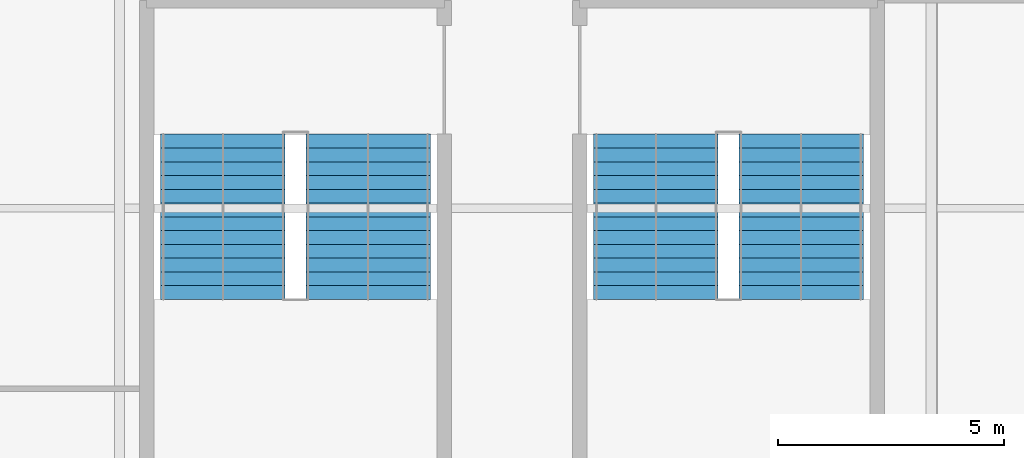
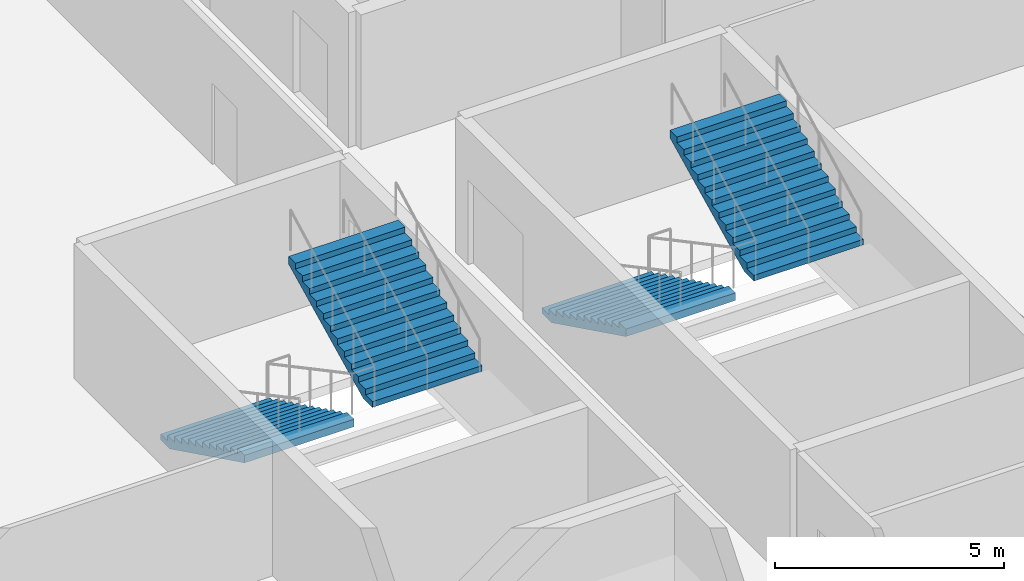
# One storey, part 95 of 105: 4 stair flights, 2 elements without a shape of their own.
"""IFC4 building model written with IfcOpenShell, lengths in metres."""

from ifc_helpers import new_model, si_unit, direction, frame, origin, place, context, subcontext, project, spatial, polygons, material, type_object, element, aggregate, save


model = new_model("IFC4")

# Units and contexts
model_context = context("Model", 3, precision=1e-05, world=origin(), true_north=direction((0.0, 1.0)))
body_context = subcontext(model_context, "Body", "Model", "MODEL_VIEW")
ifc_project = project(units=[si_unit("LENGTHUNIT", "METRE"), si_unit("AREAUNIT", "SQUARE_METRE"), si_unit("VOLUMEUNIT", "CUBIC_METRE"), si_unit("PLANEANGLEUNIT", "RADIAN"), si_unit("MASSUNIT", "GRAM", prefix="KILO")], contexts=[model_context])

# Site, building, storey
site_placement = place(None, origin())
site = spatial("IfcSite", under=ifc_project, at=site_placement, CompositionType="ELEMENT")
building_placement = place(site_placement, origin())
building = spatial("IfcBuilding", under=site, at=building_placement, Name="Kisiwana Market Hall", CompositionType="ELEMENT")
storey_placement = place(building_placement, frame((0.0, 0.0, 21.60009765625)))
storey = spatial("IfcBuildingStorey", under=building, at=storey_placement, Name="L04", CompositionType="ELEMENT", Elevation=21.60009765625)

# Stair, stair flights
ifc_material_1 = material(Name="Concrete C32/40", Category="concrete")
stair_type = type_object("IfcStairType", Name="ST-ESC-3900", PredefinedType="TWO_STRAIGHT_RUN_STAIR", material=ifc_material_1)
stair_1_placement = place(storey_placement, origin())
stair_1 = element("IfcStair", 1, at=stair_1_placement, inside=storey, type_object=stair_type, Name="Escape stair ST-E4-L04", PredefinedType="TWO_STRAIGHT_RUN_STAIR")
ifc_material_2 = material(Name="Concrete C32/40", Category="concrete")
stair_flight_type = type_object("IfcStairFlightType", Name="SF-ESC-3900", PredefinedType="STRAIGHT", material=ifc_material_2)
stair_flight_1_placement = place(storey_placement, frame((182.889892578125, 77.639892578125, 0.0), z_axis=(0.0, 0.0, 1.0), x_axis=(0.0, -1.0, 0.0)))
stair_flight_1 = element("IfcStairFlight", 2, at=stair_flight_1_placement, type_object=stair_flight_type, Name="ST-E4-L04 flight 1", NumberOfRisers=13, NumberOfTreads=12, PredefinedType="STRAIGHT", RiserHeight=0.15, TreadLength=0.305, context=body_context, shape_type="Tessellation", body=[
    polygons([(0.0, -1.380127, 0.0), (0.0, -0.690125, 0.0), (0.0, -0.000122, 0.0), (0.0, 0.68988, 0.0), (0.0, 1.379883, 0.0), (0.0, -1.380127, 0.149902), (0.0, -0.690125, 0.149902), (0.0, -0.000122, 0.149902), (0.0, 0.68988, 0.149902), (0.0, 1.379883, 0.149902), (0.304932, -1.380127, 0.149902), (0.304932, -0.690125, 0.149902), (0.304932, -0.000122, 0.149902), (0.304932, 0.68988, 0.149902), (0.304932, 1.379883, 0.149902), (0.304932, -1.380127, 0.300049), (0.304932, -0.690125, 0.300049), (0.304932, -0.000122, 0.300049), (0.304932, 0.68988, 0.300049), (0.304932, 1.379883, 0.300049), (0.610107, -1.380127, 0.300049), (0.610107, -0.690125, 0.300049), (0.610107, -0.000122, 0.300049), (0.610107, 0.68988, 0.300049), (0.610107, 1.379883, 0.300049), (0.610107, -1.380127, 0.449951), (0.610107, -0.690125, 0.449951), (0.610107, -0.000122, 0.449951), (0.610107, 0.68988, 0.449951), (0.610107, 1.379883, 0.449951), (0.915039, -1.380127, 0.449951), (0.915039, -0.690125, 0.449951), (0.915039, -0.000122, 0.449951), (0.915039, 0.68988, 0.449951), (0.915039, 1.379883, 0.449951), (0.915039, -1.380127, 0.600098), (0.915039, -0.690125, 0.600098), (0.915039, -0.000122, 0.600098), (0.915039, 0.68988, 0.600098), (0.915039, 1.379883, 0.600098), (1.219971, -1.380127, 0.600098), (1.219971, -0.690125, 0.600098), (1.219971, -0.000122, 0.600098), (1.219971, 0.68988, 0.600098), (1.219971, 1.379883, 0.600098), (1.219971, -1.380127, 0.75), (1.219971, -0.690125, 0.75), (1.219971, -0.000122, 0.75), (1.219971, 0.68988, 0.75), (1.219971, 1.379883, 0.75), (1.524902, -1.380127, 0.75), (1.524902, -0.690125, 0.75), (1.524902, -0.000122, 0.75), (1.524902, 0.68988, 0.75), (1.524902, 1.379883, 0.75), (1.524902, -1.380127, 0.899902), (1.524902, -0.690125, 0.899902), (1.524902, -0.000122, 0.899902), (1.524902, 0.68988, 0.899902), (1.524902, 1.379883, 0.899902), (1.830078, -1.380127, 0.899902), (1.830078, -0.690125, 0.899902), (1.830078, -0.000122, 0.899902), (1.830078, 0.68988, 0.899902), (1.830078, 1.379883, 0.899902), (1.830078, -1.380127, 1.050049), (1.830078, -0.690125, 1.050049), (1.830078, -0.000122, 1.050049), (1.830078, 0.68988, 1.050049), (1.830078, 1.379883, 1.050049), (2.13501, -1.380127, 1.050049), (2.13501, -0.690125, 1.050049), (2.13501, -0.000122, 1.050049), (2.13501, 0.68988, 1.050049), (2.13501, 1.379883, 1.050049), (2.13501, -1.380127, 1.199951), (2.13501, -0.690125, 1.199951), (2.13501, -0.000122, 1.199951), (2.13501, 0.68988, 1.199951), (2.13501, 1.379883, 1.199951), (2.439941, -1.380127, 1.199951), (2.439941, -0.690125, 1.199951), (2.439941, -0.000122, 1.199951), (2.439941, 0.68988, 1.199951), (2.439941, 1.379883, 1.199951), (2.439941, -1.380127, 1.350098), (2.439941, -0.690125, 1.350098), (2.439941, -0.000122, 1.350098), (2.439941, 0.68988, 1.350098), (2.439941, 1.379883, 1.350098), (2.745117, -1.380127, 1.350098), (2.745117, -0.690125, 1.350098), (2.745117, -0.000122, 1.350098), (2.745117, 0.68988, 1.350098), (2.745117, 1.379883, 1.350098), (2.745117, -1.380127, 1.5), (2.745117, -0.690125, 1.5), (2.745117, -0.000122, 1.5), (2.745117, 0.68988, 1.5), (2.745117, 1.379883, 1.5), (3.050049, -1.380127, 1.5), (3.050049, -0.690125, 1.5), (3.050049, -0.000122, 1.5), (3.050049, 0.68988, 1.5), (3.050049, 1.379883, 1.5), (3.050049, -1.380127, 1.649902), (3.050049, -0.690125, 1.649902), (3.050049, -0.000122, 1.649902), (3.050049, 0.68988, 1.649902), (3.050049, 1.379883, 1.649902), (3.35498, -1.380127, 1.649902), (3.35498, -0.690125, 1.649902), (3.35498, -0.000122, 1.649902), (3.35498, 0.68988, 1.649902), (3.35498, 1.379883, 1.649902), (3.35498, -1.380127, 1.800049), (3.35498, -0.690125, 1.800049), (3.35498, -0.000122, 1.800049), (3.35498, 0.68988, 1.800049), (3.35498, 1.379883, 1.800049), (3.659912, -1.380127, 1.800049), (3.659912, -0.690125, 1.800049), (3.659912, -0.000122, 1.800049), (3.659912, 0.68988, 1.800049), (3.659912, 1.379883, 1.800049), (3.659912, -1.380127, 1.599365), (3.659912, -0.690125, 1.599365), (3.659912, -0.000122, 1.599365), (3.659912, 0.68988, 1.599365), (3.659912, 1.379883, 1.599365), (0.407715, -1.380127, 0.0), (0.407715, -0.690125, 0.0), (0.407715, -0.000122, 0.0), (0.407715, 0.68988, 0.0), (0.407715, 1.379883, 0.0)], [[[1, 6, 7, 2]], [[2, 7, 8, 3]], [[3, 8, 9, 4]], [[4, 9, 10, 5]], [[6, 11, 12, 7]], [[7, 12, 13, 8]], [[8, 13, 14, 9]], [[9, 14, 15, 10]], [[11, 16, 17, 12]], [[12, 17, 18, 13]], [[13, 18, 19, 14]], [[14, 19, 20, 15]], [[16, 21, 22, 17]], [[17, 22, 23, 18]], [[18, 23, 24, 19]], [[19, 24, 25, 20]], [[21, 26, 27, 22]], [[22, 27, 28, 23]], [[23, 28, 29, 24]], [[24, 29, 30, 25]], [[26, 31, 32, 27]], [[27, 32, 33, 28]], [[28, 33, 34, 29]], [[29, 34, 35, 30]], [[31, 36, 37, 32]], [[32, 37, 38, 33]], [[33, 38, 39, 34]], [[34, 39, 40, 35]], [[36, 41, 42, 37]], [[37, 42, 43, 38]], [[38, 43, 44, 39]], [[39, 44, 45, 40]], [[41, 46, 47, 42]], [[42, 47, 48, 43]], [[43, 48, 49, 44]], [[44, 49, 50, 45]], [[46, 51, 52, 47]], [[47, 52, 53, 48]], [[48, 53, 54, 49]], [[49, 54, 55, 50]], [[51, 56, 57, 52]], [[52, 57, 58, 53]], [[53, 58, 59, 54]], [[54, 59, 60, 55]], [[56, 61, 62, 57]], [[57, 62, 63, 58]], [[58, 63, 64, 59]], [[59, 64, 65, 60]], [[61, 66, 67, 62]], [[62, 67, 68, 63]], [[63, 68, 69, 64]], [[64, 69, 70, 65]], [[66, 71, 72, 67]], [[67, 72, 73, 68]], [[68, 73, 74, 69]], [[69, 74, 75, 70]], [[71, 76, 77, 72]], [[72, 77, 78, 73]], [[73, 78, 79, 74]], [[74, 79, 80, 75]], [[76, 81, 82, 77]], [[77, 82, 83, 78]], [[78, 83, 84, 79]], [[79, 84, 85, 80]], [[81, 86, 87, 82]], [[82, 87, 88, 83]], [[83, 88, 89, 84]], [[84, 89, 90, 85]], [[86, 91, 92, 87]], [[87, 92, 93, 88]], [[88, 93, 94, 89]], [[89, 94, 95, 90]], [[91, 96, 97, 92]], [[92, 97, 98, 93]], [[93, 98, 99, 94]], [[94, 99, 100, 95]], [[96, 101, 102, 97]], [[97, 102, 103, 98]], [[98, 103, 104, 99]], [[99, 104, 105, 100]], [[101, 106, 107, 102]], [[102, 107, 108, 103]], [[103, 108, 109, 104]], [[104, 109, 110, 105]], [[106, 111, 112, 107]], [[107, 112, 113, 108]], [[108, 113, 114, 109]], [[109, 114, 115, 110]], [[111, 116, 117, 112]], [[112, 117, 118, 113]], [[113, 118, 119, 114]], [[114, 119, 120, 115]], [[116, 121, 122, 117]], [[117, 122, 123, 118]], [[118, 123, 124, 119]], [[119, 124, 125, 120]], [[121, 126, 127, 122]], [[122, 127, 128, 123]], [[123, 128, 129, 124]], [[124, 129, 130, 125]], [[126, 131, 132, 127]], [[127, 132, 133, 128]], [[128, 133, 134, 129]], [[129, 134, 135, 130]], [[131, 1, 2, 132]], [[132, 2, 3, 133]], [[133, 3, 4, 134]], [[134, 4, 5, 135]], [[131, 126, 121, 116, 111, 106, 101, 96, 91, 86, 81, 76, 71, 66, 61, 56, 51, 46, 41, 36, 31, 26, 21, 16, 11, 6, 1]], [[5, 10, 15, 20, 25, 30, 35, 40, 45, 50, 55, 60, 65, 70, 75, 80, 85, 90, 95, 100, 105, 110, 115, 120, 125, 130, 135]]], closed=True),
])
stair_flight_2_placement = place(storey_placement, frame((186.110107421875, 73.97998046875, 1.949951171875), z_axis=(0.0, 0.0, 1.0), x_axis=(0.0, 1.0, 0.0)))
stair_flight_2 = element("IfcStairFlight", 3, at=stair_flight_2_placement, type_object=stair_flight_type, Name="ST-E4-L04 flight 2", NumberOfRisers=13, NumberOfTreads=12, PredefinedType="STRAIGHT", RiserHeight=0.15, TreadLength=0.305, context=body_context, shape_type="Tessellation", body=[
    polygons([(0.0, -1.380127, 0.0), (0.0, -0.690125, 0.0), (0.0, -0.000122, 0.0), (0.0, 0.68988, 0.0), (0.0, 1.379883, 0.0), (0.0, -1.380127, 0.149902), (0.0, -0.690125, 0.149902), (0.0, -0.000122, 0.149902), (0.0, 0.68988, 0.149902), (0.0, 1.379883, 0.149902), (0.304932, -1.380127, 0.149902), (0.304932, -0.690125, 0.149902), (0.304932, -0.000122, 0.149902), (0.304932, 0.68988, 0.149902), (0.304932, 1.379883, 0.149902), (0.304932, -1.380127, 0.300049), (0.304932, -0.690125, 0.300049), (0.304932, -0.000122, 0.300049), (0.304932, 0.68988, 0.300049), (0.304932, 1.379883, 0.300049), (0.610107, -1.380127, 0.300049), (0.610107, -0.690125, 0.300049), (0.610107, -0.000122, 0.300049), (0.610107, 0.68988, 0.300049), (0.610107, 1.379883, 0.300049), (0.610107, -1.380127, 0.449951), (0.610107, -0.690125, 0.449951), (0.610107, -0.000122, 0.449951), (0.610107, 0.68988, 0.449951), (0.610107, 1.379883, 0.449951), (0.915039, -1.380127, 0.449951), (0.915039, -0.690125, 0.449951), (0.915039, -0.000122, 0.449951), (0.915039, 0.68988, 0.449951), (0.915039, 1.379883, 0.449951), (0.915039, -1.380127, 0.600098), (0.915039, -0.690125, 0.600098), (0.915039, -0.000122, 0.600098), (0.915039, 0.68988, 0.600098), (0.915039, 1.379883, 0.600098), (1.219971, -1.380127, 0.600098), (1.219971, -0.690125, 0.600098), (1.219971, -0.000122, 0.600098), (1.219971, 0.68988, 0.600098), (1.219971, 1.379883, 0.600098), (1.219971, -1.380127, 0.75), (1.219971, -0.690125, 0.75), (1.219971, -0.000122, 0.75), (1.219971, 0.68988, 0.75), (1.219971, 1.379883, 0.75), (1.524902, -1.380127, 0.75), (1.524902, -0.690125, 0.75), (1.524902, -0.000122, 0.75), (1.524902, 0.68988, 0.75), (1.524902, 1.379883, 0.75), (1.524902, -1.380127, 0.899902), (1.524902, -0.690125, 0.899902), (1.524902, -0.000122, 0.899902), (1.524902, 0.68988, 0.899902), (1.524902, 1.379883, 0.899902), (1.830078, -1.380127, 0.899902), (1.830078, -0.690125, 0.899902), (1.830078, -0.000122, 0.899902), (1.830078, 0.68988, 0.899902), (1.830078, 1.379883, 0.899902), (1.830078, -1.380127, 1.050049), (1.830078, -0.690125, 1.050049), (1.830078, -0.000122, 1.050049), (1.830078, 0.68988, 1.050049), (1.830078, 1.379883, 1.050049), (2.13501, -1.380127, 1.050049), (2.13501, -0.690125, 1.050049), (2.13501, -0.000122, 1.050049), (2.13501, 0.68988, 1.050049), (2.13501, 1.379883, 1.050049), (2.13501, -1.380127, 1.199951), (2.13501, -0.690125, 1.199951), (2.13501, -0.000122, 1.199951), (2.13501, 0.68988, 1.199951), (2.13501, 1.379883, 1.199951), (2.439941, -1.380127, 1.199951), (2.439941, -0.690125, 1.199951), (2.439941, -0.000122, 1.199951), (2.439941, 0.68988, 1.199951), (2.439941, 1.379883, 1.199951), (2.439941, -1.380127, 1.350098), (2.439941, -0.690125, 1.350098), (2.439941, -0.000122, 1.350098), (2.439941, 0.68988, 1.350098), (2.439941, 1.379883, 1.350098), (2.745117, -1.380127, 1.350098), (2.745117, -0.690125, 1.350098), (2.745117, -0.000122, 1.350098), (2.745117, 0.68988, 1.350098), (2.745117, 1.379883, 1.350098), (2.745117, -1.380127, 1.5), (2.745117, -0.690125, 1.5), (2.745117, -0.000122, 1.5), (2.745117, 0.68988, 1.5), (2.745117, 1.379883, 1.5), (3.050049, -1.380127, 1.5), (3.050049, -0.690125, 1.5), (3.050049, -0.000122, 1.5), (3.050049, 0.68988, 1.5), (3.050049, 1.379883, 1.5), (3.050049, -1.380127, 1.649902), (3.050049, -0.690125, 1.649902), (3.050049, -0.000122, 1.649902), (3.050049, 0.68988, 1.649902), (3.050049, 1.379883, 1.649902), (3.35498, -1.380127, 1.649902), (3.35498, -0.690125, 1.649902), (3.35498, -0.000122, 1.649902), (3.35498, 0.68988, 1.649902), (3.35498, 1.379883, 1.649902), (3.35498, -1.380127, 1.800049), (3.35498, -0.690125, 1.800049), (3.35498, -0.000122, 1.800049), (3.35498, 0.68988, 1.800049), (3.35498, 1.379883, 1.800049), (3.659912, -1.380127, 1.800049), (3.659912, -0.690125, 1.800049), (3.659912, -0.000122, 1.800049), (3.659912, 0.68988, 1.800049), (3.659912, 1.379883, 1.800049), (3.659912, -1.380127, 1.599365), (3.659912, -0.690125, 1.599365), (3.659912, -0.000122, 1.599365), (3.659912, 0.68988, 1.599365), (3.659912, 1.379883, 1.599365), (0.407715, -1.380127, 0.0), (0.407715, -0.690125, 0.0), (0.407715, -0.000122, 0.0), (0.407715, 0.68988, 0.0), (0.407715, 1.379883, 0.0)], [[[1, 6, 7, 2]], [[2, 7, 8, 3]], [[3, 8, 9, 4]], [[4, 9, 10, 5]], [[6, 11, 12, 7]], [[7, 12, 13, 8]], [[8, 13, 14, 9]], [[9, 14, 15, 10]], [[11, 16, 17, 12]], [[12, 17, 18, 13]], [[13, 18, 19, 14]], [[14, 19, 20, 15]], [[16, 21, 22, 17]], [[17, 22, 23, 18]], [[18, 23, 24, 19]], [[19, 24, 25, 20]], [[21, 26, 27, 22]], [[22, 27, 28, 23]], [[23, 28, 29, 24]], [[24, 29, 30, 25]], [[26, 31, 32, 27]], [[27, 32, 33, 28]], [[28, 33, 34, 29]], [[29, 34, 35, 30]], [[31, 36, 37, 32]], [[32, 37, 38, 33]], [[33, 38, 39, 34]], [[34, 39, 40, 35]], [[36, 41, 42, 37]], [[37, 42, 43, 38]], [[38, 43, 44, 39]], [[39, 44, 45, 40]], [[41, 46, 47, 42]], [[42, 47, 48, 43]], [[43, 48, 49, 44]], [[44, 49, 50, 45]], [[46, 51, 52, 47]], [[47, 52, 53, 48]], [[48, 53, 54, 49]], [[49, 54, 55, 50]], [[51, 56, 57, 52]], [[52, 57, 58, 53]], [[53, 58, 59, 54]], [[54, 59, 60, 55]], [[56, 61, 62, 57]], [[57, 62, 63, 58]], [[58, 63, 64, 59]], [[59, 64, 65, 60]], [[61, 66, 67, 62]], [[62, 67, 68, 63]], [[63, 68, 69, 64]], [[64, 69, 70, 65]], [[66, 71, 72, 67]], [[67, 72, 73, 68]], [[68, 73, 74, 69]], [[69, 74, 75, 70]], [[71, 76, 77, 72]], [[72, 77, 78, 73]], [[73, 78, 79, 74]], [[74, 79, 80, 75]], [[76, 81, 82, 77]], [[77, 82, 83, 78]], [[78, 83, 84, 79]], [[79, 84, 85, 80]], [[81, 86, 87, 82]], [[82, 87, 88, 83]], [[83, 88, 89, 84]], [[84, 89, 90, 85]], [[86, 91, 92, 87]], [[87, 92, 93, 88]], [[88, 93, 94, 89]], [[89, 94, 95, 90]], [[91, 96, 97, 92]], [[92, 97, 98, 93]], [[93, 98, 99, 94]], [[94, 99, 100, 95]], [[96, 101, 102, 97]], [[97, 102, 103, 98]], [[98, 103, 104, 99]], [[99, 104, 105, 100]], [[101, 106, 107, 102]], [[102, 107, 108, 103]], [[103, 108, 109, 104]], [[104, 109, 110, 105]], [[106, 111, 112, 107]], [[107, 112, 113, 108]], [[108, 113, 114, 109]], [[109, 114, 115, 110]], [[111, 116, 117, 112]], [[112, 117, 118, 113]], [[113, 118, 119, 114]], [[114, 119, 120, 115]], [[116, 121, 122, 117]], [[117, 122, 123, 118]], [[118, 123, 124, 119]], [[119, 124, 125, 120]], [[121, 126, 127, 122]], [[122, 127, 128, 123]], [[123, 128, 129, 124]], [[124, 129, 130, 125]], [[126, 131, 132, 127]], [[127, 132, 133, 128]], [[128, 133, 134, 129]], [[129, 134, 135, 130]], [[131, 1, 2, 132]], [[132, 2, 3, 133]], [[133, 3, 4, 134]], [[134, 4, 5, 135]], [[131, 126, 121, 116, 111, 106, 101, 96, 91, 86, 81, 76, 71, 66, 61, 56, 51, 46, 41, 36, 31, 26, 21, 16, 11, 6, 1]], [[5, 10, 15, 20, 25, 30, 35, 40, 45, 50, 55, 60, 65, 70, 75, 80, 85, 90, 95, 100, 105, 110, 115, 120, 125, 130, 135]]], closed=True),
])
aggregate(stair_1, [stair_flight_1, stair_flight_2])

stair_2_placement = place(storey_placement, origin())
stair_2 = element("IfcStair", 4, at=stair_2_placement, inside=storey, type_object=stair_type, Name="Escape stair ST-E8-L04", PredefinedType="TWO_STRAIGHT_RUN_STAIR")
stair_flight_3_placement = place(storey_placement, frame((173.2900390625, 77.639892578125, 0.0), z_axis=(0.0, 0.0, 1.0), x_axis=(0.0, -1.0, 0.0)))
stair_flight_3 = element("IfcStairFlight", 5, at=stair_flight_3_placement, type_object=stair_flight_type, Name="ST-E8-L04 flight 1", NumberOfRisers=13, NumberOfTreads=12, PredefinedType="STRAIGHT", RiserHeight=0.15, TreadLength=0.305, context=body_context, shape_type="Tessellation", body=[
    polygons([(0.0, -1.380127, 0.0), (0.0, -0.690125, 0.0), (0.0, -0.000122, 0.0), (0.0, 0.68988, 0.0), (0.0, 1.379883, 0.0), (0.0, -1.380127, 0.149902), (0.0, -0.690125, 0.149902), (0.0, -0.000122, 0.149902), (0.0, 0.68988, 0.149902), (0.0, 1.379883, 0.149902), (0.304932, -1.380127, 0.149902), (0.304932, -0.690125, 0.149902), (0.304932, -0.000122, 0.149902), (0.304932, 0.68988, 0.149902), (0.304932, 1.379883, 0.149902), (0.304932, -1.380127, 0.300049), (0.304932, -0.690125, 0.300049), (0.304932, -0.000122, 0.300049), (0.304932, 0.68988, 0.300049), (0.304932, 1.379883, 0.300049), (0.610107, -1.380127, 0.300049), (0.610107, -0.690125, 0.300049), (0.610107, -0.000122, 0.300049), (0.610107, 0.68988, 0.300049), (0.610107, 1.379883, 0.300049), (0.610107, -1.380127, 0.449951), (0.610107, -0.690125, 0.449951), (0.610107, -0.000122, 0.449951), (0.610107, 0.68988, 0.449951), (0.610107, 1.379883, 0.449951), (0.915039, -1.380127, 0.449951), (0.915039, -0.690125, 0.449951), (0.915039, -0.000122, 0.449951), (0.915039, 0.68988, 0.449951), (0.915039, 1.379883, 0.449951), (0.915039, -1.380127, 0.600098), (0.915039, -0.690125, 0.600098), (0.915039, -0.000122, 0.600098), (0.915039, 0.68988, 0.600098), (0.915039, 1.379883, 0.600098), (1.219971, -1.380127, 0.600098), (1.219971, -0.690125, 0.600098), (1.219971, -0.000122, 0.600098), (1.219971, 0.68988, 0.600098), (1.219971, 1.379883, 0.600098), (1.219971, -1.380127, 0.75), (1.219971, -0.690125, 0.75), (1.219971, -0.000122, 0.75), (1.219971, 0.68988, 0.75), (1.219971, 1.379883, 0.75), (1.524902, -1.380127, 0.75), (1.524902, -0.690125, 0.75), (1.524902, -0.000122, 0.75), (1.524902, 0.68988, 0.75), (1.524902, 1.379883, 0.75), (1.524902, -1.380127, 0.899902), (1.524902, -0.690125, 0.899902), (1.524902, -0.000122, 0.899902), (1.524902, 0.68988, 0.899902), (1.524902, 1.379883, 0.899902), (1.830078, -1.380127, 0.899902), (1.830078, -0.690125, 0.899902), (1.830078, -0.000122, 0.899902), (1.830078, 0.68988, 0.899902), (1.830078, 1.379883, 0.899902), (1.830078, -1.380127, 1.050049), (1.830078, -0.690125, 1.050049), (1.830078, -0.000122, 1.050049), (1.830078, 0.68988, 1.050049), (1.830078, 1.379883, 1.050049), (2.13501, -1.380127, 1.050049), (2.13501, -0.690125, 1.050049), (2.13501, -0.000122, 1.050049), (2.13501, 0.68988, 1.050049), (2.13501, 1.379883, 1.050049), (2.13501, -1.380127, 1.199951), (2.13501, -0.690125, 1.199951), (2.13501, -0.000122, 1.199951), (2.13501, 0.68988, 1.199951), (2.13501, 1.379883, 1.199951), (2.439941, -1.380127, 1.199951), (2.439941, -0.690125, 1.199951), (2.439941, -0.000122, 1.199951), (2.439941, 0.68988, 1.199951), (2.439941, 1.379883, 1.199951), (2.439941, -1.380127, 1.350098), (2.439941, -0.690125, 1.350098), (2.439941, -0.000122, 1.350098), (2.439941, 0.68988, 1.350098), (2.439941, 1.379883, 1.350098), (2.745117, -1.380127, 1.350098), (2.745117, -0.690125, 1.350098), (2.745117, -0.000122, 1.350098), (2.745117, 0.68988, 1.350098), (2.745117, 1.379883, 1.350098), (2.745117, -1.380127, 1.5), (2.745117, -0.690125, 1.5), (2.745117, -0.000122, 1.5), (2.745117, 0.68988, 1.5), (2.745117, 1.379883, 1.5), (3.050049, -1.380127, 1.5), (3.050049, -0.690125, 1.5), (3.050049, -0.000122, 1.5), (3.050049, 0.68988, 1.5), (3.050049, 1.379883, 1.5), (3.050049, -1.380127, 1.649902), (3.050049, -0.690125, 1.649902), (3.050049, -0.000122, 1.649902), (3.050049, 0.68988, 1.649902), (3.050049, 1.379883, 1.649902), (3.35498, -1.380127, 1.649902), (3.35498, -0.690125, 1.649902), (3.35498, -0.000122, 1.649902), (3.35498, 0.68988, 1.649902), (3.35498, 1.379883, 1.649902), (3.35498, -1.380127, 1.800049), (3.35498, -0.690125, 1.800049), (3.35498, -0.000122, 1.800049), (3.35498, 0.68988, 1.800049), (3.35498, 1.379883, 1.800049), (3.659912, -1.380127, 1.800049), (3.659912, -0.690125, 1.800049), (3.659912, -0.000122, 1.800049), (3.659912, 0.68988, 1.800049), (3.659912, 1.379883, 1.800049), (3.659912, -1.380127, 1.599365), (3.659912, -0.690125, 1.599365), (3.659912, -0.000122, 1.599365), (3.659912, 0.68988, 1.599365), (3.659912, 1.379883, 1.599365), (0.407715, -1.380127, 0.0), (0.407715, -0.690125, 0.0), (0.407715, -0.000122, 0.0), (0.407715, 0.68988, 0.0), (0.407715, 1.379883, 0.0)], [[[1, 6, 7, 2]], [[2, 7, 8, 3]], [[3, 8, 9, 4]], [[4, 9, 10, 5]], [[6, 11, 12, 7]], [[7, 12, 13, 8]], [[8, 13, 14, 9]], [[9, 14, 15, 10]], [[11, 16, 17, 12]], [[12, 17, 18, 13]], [[13, 18, 19, 14]], [[14, 19, 20, 15]], [[16, 21, 22, 17]], [[17, 22, 23, 18]], [[18, 23, 24, 19]], [[19, 24, 25, 20]], [[21, 26, 27, 22]], [[22, 27, 28, 23]], [[23, 28, 29, 24]], [[24, 29, 30, 25]], [[26, 31, 32, 27]], [[27, 32, 33, 28]], [[28, 33, 34, 29]], [[29, 34, 35, 30]], [[31, 36, 37, 32]], [[32, 37, 38, 33]], [[33, 38, 39, 34]], [[34, 39, 40, 35]], [[36, 41, 42, 37]], [[37, 42, 43, 38]], [[38, 43, 44, 39]], [[39, 44, 45, 40]], [[41, 46, 47, 42]], [[42, 47, 48, 43]], [[43, 48, 49, 44]], [[44, 49, 50, 45]], [[46, 51, 52, 47]], [[47, 52, 53, 48]], [[48, 53, 54, 49]], [[49, 54, 55, 50]], [[51, 56, 57, 52]], [[52, 57, 58, 53]], [[53, 58, 59, 54]], [[54, 59, 60, 55]], [[56, 61, 62, 57]], [[57, 62, 63, 58]], [[58, 63, 64, 59]], [[59, 64, 65, 60]], [[61, 66, 67, 62]], [[62, 67, 68, 63]], [[63, 68, 69, 64]], [[64, 69, 70, 65]], [[66, 71, 72, 67]], [[67, 72, 73, 68]], [[68, 73, 74, 69]], [[69, 74, 75, 70]], [[71, 76, 77, 72]], [[72, 77, 78, 73]], [[73, 78, 79, 74]], [[74, 79, 80, 75]], [[76, 81, 82, 77]], [[77, 82, 83, 78]], [[78, 83, 84, 79]], [[79, 84, 85, 80]], [[81, 86, 87, 82]], [[82, 87, 88, 83]], [[83, 88, 89, 84]], [[84, 89, 90, 85]], [[86, 91, 92, 87]], [[87, 92, 93, 88]], [[88, 93, 94, 89]], [[89, 94, 95, 90]], [[91, 96, 97, 92]], [[92, 97, 98, 93]], [[93, 98, 99, 94]], [[94, 99, 100, 95]], [[96, 101, 102, 97]], [[97, 102, 103, 98]], [[98, 103, 104, 99]], [[99, 104, 105, 100]], [[101, 106, 107, 102]], [[102, 107, 108, 103]], [[103, 108, 109, 104]], [[104, 109, 110, 105]], [[106, 111, 112, 107]], [[107, 112, 113, 108]], [[108, 113, 114, 109]], [[109, 114, 115, 110]], [[111, 116, 117, 112]], [[112, 117, 118, 113]], [[113, 118, 119, 114]], [[114, 119, 120, 115]], [[116, 121, 122, 117]], [[117, 122, 123, 118]], [[118, 123, 124, 119]], [[119, 124, 125, 120]], [[121, 126, 127, 122]], [[122, 127, 128, 123]], [[123, 128, 129, 124]], [[124, 129, 130, 125]], [[126, 131, 132, 127]], [[127, 132, 133, 128]], [[128, 133, 134, 129]], [[129, 134, 135, 130]], [[131, 1, 2, 132]], [[132, 2, 3, 133]], [[133, 3, 4, 134]], [[134, 4, 5, 135]], [[131, 126, 121, 116, 111, 106, 101, 96, 91, 86, 81, 76, 71, 66, 61, 56, 51, 46, 41, 36, 31, 26, 21, 16, 11, 6, 1]], [[5, 10, 15, 20, 25, 30, 35, 40, 45, 50, 55, 60, 65, 70, 75, 80, 85, 90, 95, 100, 105, 110, 115, 120, 125, 130, 135]]], closed=True),
])
stair_flight_4_placement = place(storey_placement, frame((176.510009765625, 73.97998046875, 1.949951171875), z_axis=(0.0, 0.0, 1.0), x_axis=(0.0, 1.0, 0.0)))
stair_flight_4 = element("IfcStairFlight", 6, at=stair_flight_4_placement, type_object=stair_flight_type, Name="ST-E8-L04 flight 2", NumberOfRisers=13, NumberOfTreads=12, PredefinedType="STRAIGHT", RiserHeight=0.15, TreadLength=0.305, context=body_context, shape_type="Tessellation", body=[
    polygons([(0.0, -1.380127, 0.0), (0.0, -0.690125, 0.0), (0.0, -0.000122, 0.0), (0.0, 0.68988, 0.0), (0.0, 1.379883, 0.0), (0.0, -1.380127, 0.149902), (0.0, -0.690125, 0.149902), (0.0, -0.000122, 0.149902), (0.0, 0.68988, 0.149902), (0.0, 1.379883, 0.149902), (0.304932, -1.380127, 0.149902), (0.304932, -0.690125, 0.149902), (0.304932, -0.000122, 0.149902), (0.304932, 0.68988, 0.149902), (0.304932, 1.379883, 0.149902), (0.304932, -1.380127, 0.300049), (0.304932, -0.690125, 0.300049), (0.304932, -0.000122, 0.300049), (0.304932, 0.68988, 0.300049), (0.304932, 1.379883, 0.300049), (0.610107, -1.380127, 0.300049), (0.610107, -0.690125, 0.300049), (0.610107, -0.000122, 0.300049), (0.610107, 0.68988, 0.300049), (0.610107, 1.379883, 0.300049), (0.610107, -1.380127, 0.449951), (0.610107, -0.690125, 0.449951), (0.610107, -0.000122, 0.449951), (0.610107, 0.68988, 0.449951), (0.610107, 1.379883, 0.449951), (0.915039, -1.380127, 0.449951), (0.915039, -0.690125, 0.449951), (0.915039, -0.000122, 0.449951), (0.915039, 0.68988, 0.449951), (0.915039, 1.379883, 0.449951), (0.915039, -1.380127, 0.600098), (0.915039, -0.690125, 0.600098), (0.915039, -0.000122, 0.600098), (0.915039, 0.68988, 0.600098), (0.915039, 1.379883, 0.600098), (1.219971, -1.380127, 0.600098), (1.219971, -0.690125, 0.600098), (1.219971, -0.000122, 0.600098), (1.219971, 0.68988, 0.600098), (1.219971, 1.379883, 0.600098), (1.219971, -1.380127, 0.75), (1.219971, -0.690125, 0.75), (1.219971, -0.000122, 0.75), (1.219971, 0.68988, 0.75), (1.219971, 1.379883, 0.75), (1.524902, -1.380127, 0.75), (1.524902, -0.690125, 0.75), (1.524902, -0.000122, 0.75), (1.524902, 0.68988, 0.75), (1.524902, 1.379883, 0.75), (1.524902, -1.380127, 0.899902), (1.524902, -0.690125, 0.899902), (1.524902, -0.000122, 0.899902), (1.524902, 0.68988, 0.899902), (1.524902, 1.379883, 0.899902), (1.830078, -1.380127, 0.899902), (1.830078, -0.690125, 0.899902), (1.830078, -0.000122, 0.899902), (1.830078, 0.68988, 0.899902), (1.830078, 1.379883, 0.899902), (1.830078, -1.380127, 1.050049), (1.830078, -0.690125, 1.050049), (1.830078, -0.000122, 1.050049), (1.830078, 0.68988, 1.050049), (1.830078, 1.379883, 1.050049), (2.13501, -1.380127, 1.050049), (2.13501, -0.690125, 1.050049), (2.13501, -0.000122, 1.050049), (2.13501, 0.68988, 1.050049), (2.13501, 1.379883, 1.050049), (2.13501, -1.380127, 1.199951), (2.13501, -0.690125, 1.199951), (2.13501, -0.000122, 1.199951), (2.13501, 0.68988, 1.199951), (2.13501, 1.379883, 1.199951), (2.439941, -1.380127, 1.199951), (2.439941, -0.690125, 1.199951), (2.439941, -0.000122, 1.199951), (2.439941, 0.68988, 1.199951), (2.439941, 1.379883, 1.199951), (2.439941, -1.380127, 1.350098), (2.439941, -0.690125, 1.350098), (2.439941, -0.000122, 1.350098), (2.439941, 0.68988, 1.350098), (2.439941, 1.379883, 1.350098), (2.745117, -1.380127, 1.350098), (2.745117, -0.690125, 1.350098), (2.745117, -0.000122, 1.350098), (2.745117, 0.68988, 1.350098), (2.745117, 1.379883, 1.350098), (2.745117, -1.380127, 1.5), (2.745117, -0.690125, 1.5), (2.745117, -0.000122, 1.5), (2.745117, 0.68988, 1.5), (2.745117, 1.379883, 1.5), (3.050049, -1.380127, 1.5), (3.050049, -0.690125, 1.5), (3.050049, -0.000122, 1.5), (3.050049, 0.68988, 1.5), (3.050049, 1.379883, 1.5), (3.050049, -1.380127, 1.649902), (3.050049, -0.690125, 1.649902), (3.050049, -0.000122, 1.649902), (3.050049, 0.68988, 1.649902), (3.050049, 1.379883, 1.649902), (3.35498, -1.380127, 1.649902), (3.35498, -0.690125, 1.649902), (3.35498, -0.000122, 1.649902), (3.35498, 0.68988, 1.649902), (3.35498, 1.379883, 1.649902), (3.35498, -1.380127, 1.800049), (3.35498, -0.690125, 1.800049), (3.35498, -0.000122, 1.800049), (3.35498, 0.68988, 1.800049), (3.35498, 1.379883, 1.800049), (3.659912, -1.380127, 1.800049), (3.659912, -0.690125, 1.800049), (3.659912, -0.000122, 1.800049), (3.659912, 0.68988, 1.800049), (3.659912, 1.379883, 1.800049), (3.659912, -1.380127, 1.599365), (3.659912, -0.690125, 1.599365), (3.659912, -0.000122, 1.599365), (3.659912, 0.68988, 1.599365), (3.659912, 1.379883, 1.599365), (0.407715, -1.380127, 0.0), (0.407715, -0.690125, 0.0), (0.407715, -0.000122, 0.0), (0.407715, 0.68988, 0.0), (0.407715, 1.379883, 0.0)], [[[1, 6, 7, 2]], [[2, 7, 8, 3]], [[3, 8, 9, 4]], [[4, 9, 10, 5]], [[6, 11, 12, 7]], [[7, 12, 13, 8]], [[8, 13, 14, 9]], [[9, 14, 15, 10]], [[11, 16, 17, 12]], [[12, 17, 18, 13]], [[13, 18, 19, 14]], [[14, 19, 20, 15]], [[16, 21, 22, 17]], [[17, 22, 23, 18]], [[18, 23, 24, 19]], [[19, 24, 25, 20]], [[21, 26, 27, 22]], [[22, 27, 28, 23]], [[23, 28, 29, 24]], [[24, 29, 30, 25]], [[26, 31, 32, 27]], [[27, 32, 33, 28]], [[28, 33, 34, 29]], [[29, 34, 35, 30]], [[31, 36, 37, 32]], [[32, 37, 38, 33]], [[33, 38, 39, 34]], [[34, 39, 40, 35]], [[36, 41, 42, 37]], [[37, 42, 43, 38]], [[38, 43, 44, 39]], [[39, 44, 45, 40]], [[41, 46, 47, 42]], [[42, 47, 48, 43]], [[43, 48, 49, 44]], [[44, 49, 50, 45]], [[46, 51, 52, 47]], [[47, 52, 53, 48]], [[48, 53, 54, 49]], [[49, 54, 55, 50]], [[51, 56, 57, 52]], [[52, 57, 58, 53]], [[53, 58, 59, 54]], [[54, 59, 60, 55]], [[56, 61, 62, 57]], [[57, 62, 63, 58]], [[58, 63, 64, 59]], [[59, 64, 65, 60]], [[61, 66, 67, 62]], [[62, 67, 68, 63]], [[63, 68, 69, 64]], [[64, 69, 70, 65]], [[66, 71, 72, 67]], [[67, 72, 73, 68]], [[68, 73, 74, 69]], [[69, 74, 75, 70]], [[71, 76, 77, 72]], [[72, 77, 78, 73]], [[73, 78, 79, 74]], [[74, 79, 80, 75]], [[76, 81, 82, 77]], [[77, 82, 83, 78]], [[78, 83, 84, 79]], [[79, 84, 85, 80]], [[81, 86, 87, 82]], [[82, 87, 88, 83]], [[83, 88, 89, 84]], [[84, 89, 90, 85]], [[86, 91, 92, 87]], [[87, 92, 93, 88]], [[88, 93, 94, 89]], [[89, 94, 95, 90]], [[91, 96, 97, 92]], [[92, 97, 98, 93]], [[93, 98, 99, 94]], [[94, 99, 100, 95]], [[96, 101, 102, 97]], [[97, 102, 103, 98]], [[98, 103, 104, 99]], [[99, 104, 105, 100]], [[101, 106, 107, 102]], [[102, 107, 108, 103]], [[103, 108, 109, 104]], [[104, 109, 110, 105]], [[106, 111, 112, 107]], [[107, 112, 113, 108]], [[108, 113, 114, 109]], [[109, 114, 115, 110]], [[111, 116, 117, 112]], [[112, 117, 118, 113]], [[113, 118, 119, 114]], [[114, 119, 120, 115]], [[116, 121, 122, 117]], [[117, 122, 123, 118]], [[118, 123, 124, 119]], [[119, 124, 125, 120]], [[121, 126, 127, 122]], [[122, 127, 128, 123]], [[123, 128, 129, 124]], [[124, 129, 130, 125]], [[126, 131, 132, 127]], [[127, 132, 133, 128]], [[128, 133, 134, 129]], [[129, 134, 135, 130]], [[131, 1, 2, 132]], [[132, 2, 3, 133]], [[133, 3, 4, 134]], [[134, 4, 5, 135]], [[131, 126, 121, 116, 111, 106, 101, 96, 91, 86, 81, 76, 71, 66, 61, 56, 51, 46, 41, 36, 31, 26, 21, 16, 11, 6, 1]], [[5, 10, 15, 20, 25, 30, 35, 40, 45, 50, 55, 60, 65, 70, 75, 80, 85, 90, 95, 100, 105, 110, 115, 120, 125, 130, 135]]], closed=True),
])
aggregate(stair_2, [stair_flight_3, stair_flight_4])

save(model, "model.ifc")
